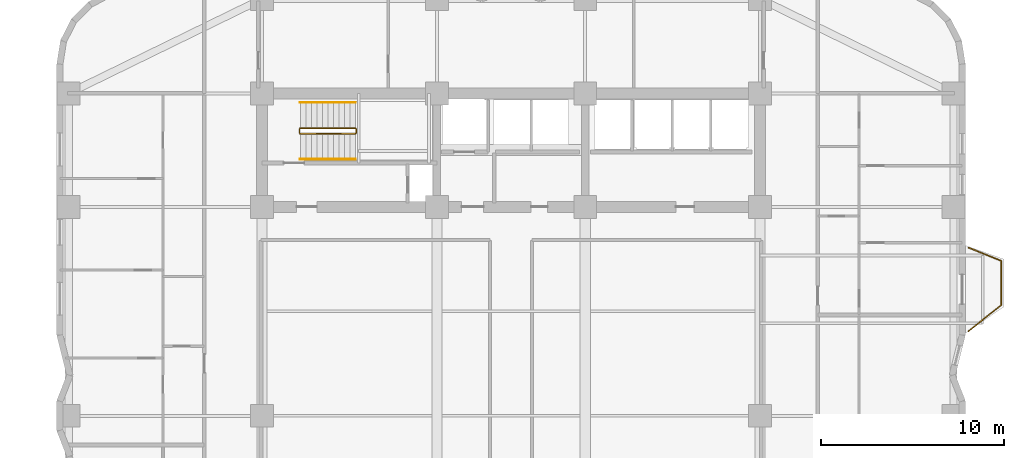
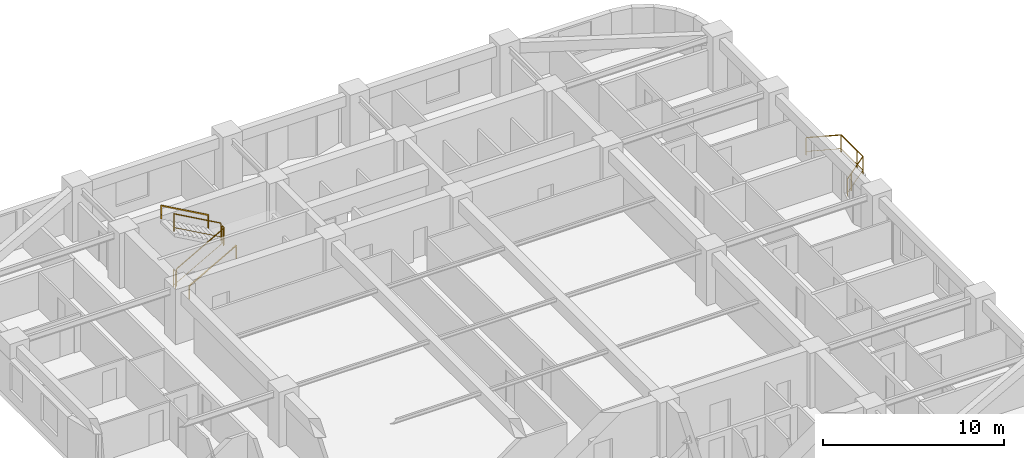
# One storey, part 9 of 9: 7 railings.
"""IFC4 building model written with IfcOpenShell, lengths in metres."""

from ifc_helpers import new_model, si_unit, direction, frame, origin, origin_2d, place, context, subcontext, project, spatial, rectangle, extrude, material, type_object, element, save


model = new_model("IFC4")

# Units and contexts
model_context = context("Model", 3, precision=1e-05, world=origin(), true_north=direction((0.0, 1.0)))
body_context = subcontext(model_context, "Body", "Model", "MODEL_VIEW")
ifc_project = project(units=[si_unit("LENGTHUNIT", "METRE"), si_unit("AREAUNIT", "SQUARE_METRE"), si_unit("VOLUMEUNIT", "CUBIC_METRE"), si_unit("PLANEANGLEUNIT", "RADIAN"), si_unit("MASSUNIT", "GRAM", prefix="KILO")], contexts=[model_context])

# Site, building, storey
site_placement = place(None, origin())
site = spatial("IfcSite", under=ifc_project, at=site_placement, CompositionType="ELEMENT")
building_placement = place(site_placement, origin())
building = spatial("IfcBuilding", under=site, at=building_placement, Name="Svetorya Sky Lyceum", CompositionType="ELEMENT")
storey_placement = place(building_placement, frame((0.0, 0.0, 28.800048828125)))
storey = spatial("IfcBuildingStorey", under=building, at=storey_placement, Name="L06", CompositionType="ELEMENT", Elevation=28.800048828125)

# Railings
ifc_material_1 = material(Name="Laminated safety glass and stainless AISI 316", Category="glass")
railing_type_1 = type_object("IfcRailingType", Name="RL-BAL-1200", PredefinedType="BALUSTRADE", material=ifc_material_1)
railing_1_placement = place(storey_placement, frame((64.169921875, 37.3798828125, 0.0)))
element("IfcRailing", 1, at=railing_1_placement, inside=storey, type_object=railing_type_1, Name="L06 Balcony Balustrade BAL-E1", PredefinedType="BALUSTRADE", context=body_context, shape_type="SweptSolid", body=[
    extrude(rectangle(XDim=0.048095703125, YDim=0.048095703125, at=origin_2d()), frame((0.0, 0.0, 1.17578125), z_axis=(0.926697865975, -0.375807218129, 0.0), x_axis=(0.375807218129, 0.926697865975, 0.0)), (0.0, 0.0, 1.0), 1.9423828125),
    extrude(rectangle(XDim=0.02392578125, YDim=0.02392578125, at=origin_2d()), frame((0.0, 0.0, 0.25), z_axis=(0.926697865975, -0.375807218129, 0.0), x_axis=(0.375807218129, 0.926697865975, 0.0)), (0.0, 0.0, 1.0), 1.9423828125),
    extrude(rectangle(XDim=0.048095703125, YDim=0.048095703125, at=origin_2d()), frame((1.800048828125, -0.72998046875, 1.17578125), z_axis=(0.0, -1.0, 0.0), x_axis=(1.0, 0.0, 0.0)), (0.0, 0.0, 1.0), 2.39990234375),
    extrude(rectangle(XDim=0.02392578125, YDim=0.02392578125, at=origin_2d()), frame((1.800048828125, -0.72998046875, 0.25), z_axis=(0.0, -1.0, 0.0), x_axis=(1.0, 0.0, 0.0)), (0.0, 0.0, 1.0), 2.39990234375),
    extrude(rectangle(XDim=0.048095703125, YDim=0.048095703125, at=origin_2d()), frame((1.800048828125, -3.1298828125, 1.17578125), z_axis=(-0.783008919264, -0.622010476079, 0.0), x_axis=(0.622010476079, -0.783008919264, 0.0)), (0.0, 0.0, 1.0), 2.298828125),
    extrude(rectangle(XDim=0.02392578125, YDim=0.02392578125, at=origin_2d()), frame((1.800048828125, -3.1298828125, 0.25), z_axis=(-0.783008919264, -0.622010476079, 0.0), x_axis=(0.622010476079, -0.783008919264, 0.0)), (0.0, 0.0, 1.0), 2.298828125),
    extrude(rectangle(XDim=0.0419921875, YDim=0.0419921875, at=origin_2d()), origin(), (0.0, 0.0, 1.0), 1.15185546875),
    extrude(rectangle(XDim=0.0419921875, YDim=0.0419921875, at=origin_2d()), frame((1.800048828125, -0.72998046875, 0.0)), (0.0, 0.0, 1.0), 1.15185546875),
    extrude(rectangle(XDim=0.0419921875, YDim=0.0419921875, at=origin_2d()), frame((1.800048828125, -2.47998046875, 0.0)), (0.0, 0.0, 1.0), 1.15185546875),
    extrude(rectangle(XDim=0.0419921875, YDim=0.0419921875, at=origin_2d()), frame((1.800048828125, -3.1298828125, 0.0)), (0.0, 0.0, 1.0), 1.15185546875),
    extrude(rectangle(XDim=0.0419921875, YDim=0.0419921875, at=origin_2d()), frame((0.4296875, -4.218505859375, 0.0)), (0.0, 0.0, 1.0), 1.15185546875),
    extrude(rectangle(XDim=0.0419921875, YDim=0.0419921875, at=origin_2d()), frame((0.0, -4.559814453125, 0.0)), (0.0, 0.0, 1.0), 1.15185546875),
])
ifc_material_2 = material(Name="Painted galvanized stair well guard")
railing_type_2 = type_object("IfcRailingType", Name="RL-STR-GUARD-1200", PredefinedType="GUARDRAIL", material=ifc_material_2)
railing_2_placement = place(storey_placement, frame((27.699951171875, 43.60009765625, 0.168212890625)))
element("IfcRailing", 2, at=railing_2_placement, inside=storey, type_object=railing_type_2, Name="L06 ST-N stair guard 1", PredefinedType="GUARDRAIL", context=body_context, shape_type="SweptSolid", body=[
    extrude(rectangle(XDim=0.048095703125, YDim=0.048095703125, at=origin_2d()), frame((0.0, 0.0, 1.17578125), z_axis=(0.872302573547, 0.0, 0.488966481656), x_axis=(0.0, 1.0, 0.0)), (0.0, 0.0, 1.0), 3.439208984375),
    extrude(rectangle(XDim=0.02392578125, YDim=0.02392578125, at=origin_2d()), frame((0.0, 0.0, 0.25), z_axis=(0.872302573547, 0.0, 0.488966481656), x_axis=(0.0, 1.0, 0.0)), (0.0, 0.0, 1.0), 3.439208984375),
    extrude(rectangle(XDim=0.0419921875, YDim=0.0419921875, at=origin_2d()), origin(), (0.0, 0.0, 1.0), 1.15185546875),
    extrude(rectangle(XDim=0.0419921875, YDim=0.0419921875, at=origin_2d()), frame((3.0, 0.0, 1.681640625)), (0.0, 0.0, 1.0), 1.15185546875),
])
railing_3_placement = place(storey_placement, frame((30.75, 43.64990234375, 1.849853515625)))
element("IfcRailing", 3, at=railing_3_placement, inside=storey, type_object=railing_type_2, Name="L06 ST-N stair guard 2", PredefinedType="GUARDRAIL", context=body_context, shape_type="SweptSolid", body=[
    extrude(rectangle(XDim=0.048095703125, YDim=0.048095703125, at=origin_2d()), frame((0.0, 0.0, 1.17578125), z_axis=(0.0, 1.0, 0.0), x_axis=(-1.0, 0.0, 0.0)), (0.0, 0.0, 1.0), 0.2001953125),
    extrude(rectangle(XDim=0.02392578125, YDim=0.02392578125, at=origin_2d()), frame((0.0, 0.0, 0.25), z_axis=(0.0, 1.0, 0.0), x_axis=(-1.0, 0.0, 0.0)), (0.0, 0.0, 1.0), 0.2001953125),
    extrude(rectangle(XDim=0.0419921875, YDim=0.0419921875, at=origin_2d()), origin(), (0.0, 0.0, 1.0), 1.15185546875),
    extrude(rectangle(XDim=0.0419921875, YDim=0.0419921875, at=origin_2d()), frame((0.0, 0.2001953125, 0.0)), (0.0, 0.0, 1.0), 1.15185546875),
])
railing_4_placement = place(storey_placement, frame((30.699951171875, 43.89990234375, 2.01806640625)))
element("IfcRailing", 4, at=railing_4_placement, inside=storey, type_object=railing_type_2, Name="L06 ST-N stair guard 3", PredefinedType="GUARDRAIL", context=body_context, shape_type="SweptSolid", body=[
    extrude(rectangle(XDim=0.048095703125, YDim=0.048095703125, at=origin_2d()), frame((0.0, 0.0, 1.17578125), z_axis=(-0.872272294576, 0.0, 0.489020494575), x_axis=(0.0, -1.0, 0.0)), (0.0, 0.0, 1.0), 3.439208984375),
    extrude(rectangle(XDim=0.02392578125, YDim=0.02392578125, at=origin_2d()), frame((0.0, 0.0, 0.25), z_axis=(-0.872272294576, 0.0, 0.489020494575), x_axis=(0.0, -1.0, 0.0)), (0.0, 0.0, 1.0), 3.439208984375),
    extrude(rectangle(XDim=0.0419921875, YDim=0.0419921875, at=origin_2d()), origin(), (0.0, 0.0, 1.0), 1.15185546875),
    extrude(rectangle(XDim=0.0419921875, YDim=0.0419921875, at=origin_2d()), frame((-3.0, 0.0, 1.681884765625)), (0.0, 0.0, 1.0), 1.15185546875),
])
railing_5_placement = place(storey_placement, frame((27.64990234375, 43.64990234375, 0.0)))
element("IfcRailing", 5, at=railing_5_placement, inside=storey, type_object=railing_type_2, Name="L06 ST-N stair guard 4", PredefinedType="GUARDRAIL", context=body_context, shape_type="SweptSolid", body=[
    extrude(rectangle(XDim=0.048095703125, YDim=0.048095703125, at=origin_2d()), frame((0.0, 0.0, 1.17578125), z_axis=(0.0, 1.0, 0.0), x_axis=(-1.0, 0.0, 0.0)), (0.0, 0.0, 1.0), 0.2001953125),
    extrude(rectangle(XDim=0.02392578125, YDim=0.02392578125, at=origin_2d()), frame((0.0, 0.0, 0.25), z_axis=(0.0, 1.0, 0.0), x_axis=(-1.0, 0.0, 0.0)), (0.0, 0.0, 1.0), 0.2001953125),
    extrude(rectangle(XDim=0.0419921875, YDim=0.0419921875, at=origin_2d()), origin(), (0.0, 0.0, 1.0), 1.15185546875),
    extrude(rectangle(XDim=0.0419921875, YDim=0.0419921875, at=origin_2d()), frame((0.0, 0.2001953125, 0.0)), (0.0, 0.0, 1.0), 1.15185546875),
])
ifc_material_3 = material(Name="Brushed stainless AISI 304 stair handrail")
railing_type_3 = type_object("IfcRailingType", Name="RL-STR-HAND-920", PredefinedType="HANDRAIL", material=ifc_material_3)
railing_6_placement = place(storey_placement, frame((27.699951171875, 42.199951171875, 0.168212890625)))
element("IfcRailing", 6, at=railing_6_placement, inside=storey, type_object=railing_type_3, Name="L06 ST-N stair handrail 1", PredefinedType="HANDRAIL", context=body_context, shape_type="SweptSolid", body=[
    extrude(rectangle(XDim=0.048095703125, YDim=0.048095703125, at=origin_2d()), frame((0.0, 0.0, 0.8759765625), z_axis=(0.872302573547, 0.0, 0.488966481656), x_axis=(0.0, 1.0, 0.0)), (0.0, 0.0, 1.0), 3.439208984375),
    extrude(rectangle(XDim=0.0419921875, YDim=0.0419921875, at=origin_2d()), origin(), (0.0, 0.0, 1.0), 0.851806640625),
    extrude(rectangle(XDim=0.0419921875, YDim=0.0419921875, at=origin_2d()), frame((3.0, 0.0, 1.681640625)), (0.0, 0.0, 1.0), 0.851806640625),
])
railing_7_placement = place(storey_placement, frame((30.699951171875, 45.300048828125, 2.01806640625)))
element("IfcRailing", 7, at=railing_7_placement, inside=storey, type_object=railing_type_3, Name="L06 ST-N stair handrail 2", PredefinedType="HANDRAIL", context=body_context, shape_type="SweptSolid", body=[
    extrude(rectangle(XDim=0.048095703125, YDim=0.048095703125, at=origin_2d()), frame((0.0, 0.0, 0.8759765625), z_axis=(-0.872272294576, 0.0, 0.489020494575), x_axis=(0.0, -1.0, 0.0)), (0.0, 0.0, 1.0), 3.439208984375),
    extrude(rectangle(XDim=0.0419921875, YDim=0.0419921875, at=origin_2d()), origin(), (0.0, 0.0, 1.0), 0.851806640625),
    extrude(rectangle(XDim=0.0419921875, YDim=0.0419921875, at=origin_2d()), frame((-3.0, 0.0, 1.681884765625)), (0.0, 0.0, 1.0), 0.851806640625),
])

save(model, "model.ifc")
